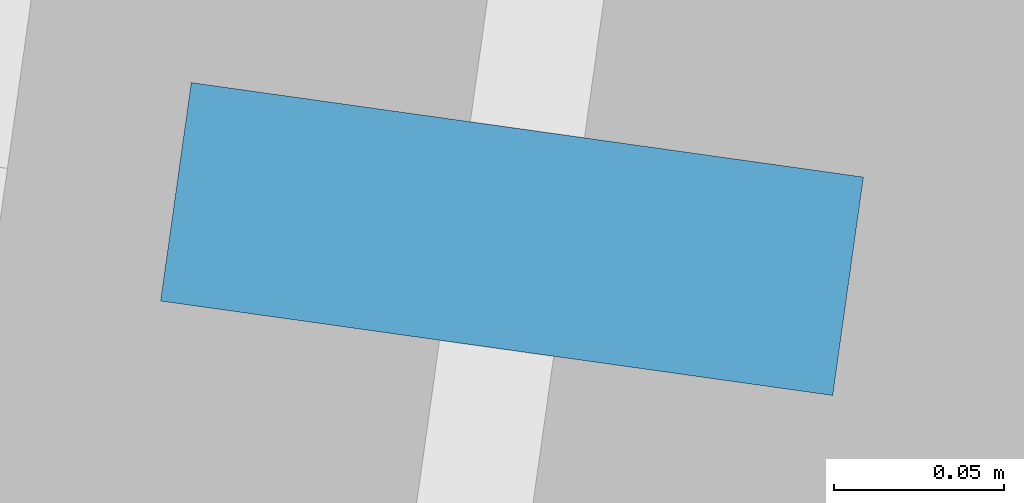
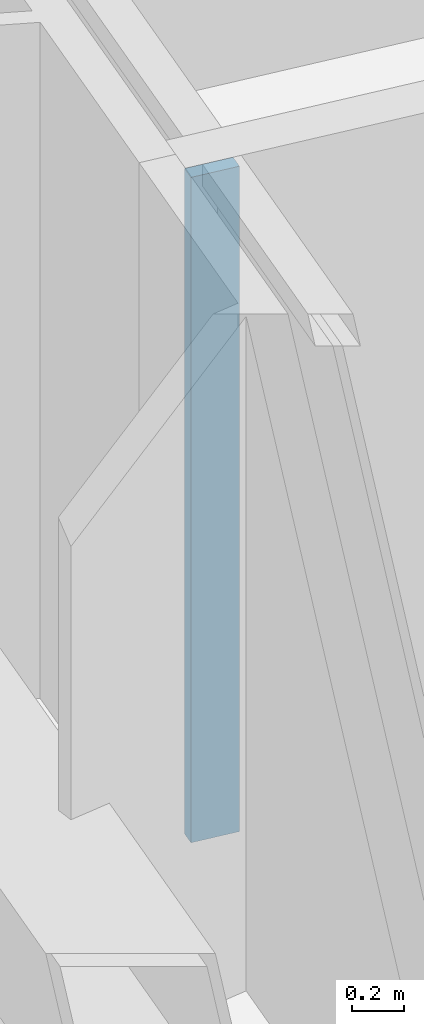
# One storey, part 4 of 29: 1 member, 1 element without a shape of its own.
"""IFC4 building model written with IfcOpenShell, lengths in metres."""

from ifc_helpers import new_model, si_unit, direction, frame, origin, origin_2d, place, context, subcontext, project, spatial, rectangle, extrude, material, material_profile, profile_set, type_object, element, aggregate, save


model = new_model("IFC4")

# Units and contexts
model_context = context("Model", 3, precision=1e-05, world=origin(), true_north=direction((0.0, 1.0)))
body_context = subcontext(model_context, "Body", "Model", "MODEL_VIEW")
ifc_project = project(units=[si_unit("LENGTHUNIT", "METRE"), si_unit("AREAUNIT", "SQUARE_METRE"), si_unit("VOLUMEUNIT", "CUBIC_METRE"), si_unit("PLANEANGLEUNIT", "RADIAN"), si_unit("MASSUNIT", "GRAM", prefix="KILO")], contexts=[model_context])

# Site, building, storey
site_placement = place(None, origin())
site = spatial("IfcSite", under=ifc_project, at=site_placement, CompositionType="ELEMENT")
building_placement = place(site_placement, origin())
building = spatial("IfcBuilding", under=site, at=building_placement, Name="Mirante Cascada Hotel Towers", CompositionType="ELEMENT")
storey_placement = place(building_placement, frame((0.0, 0.0, 206.8)))
storey = spatial("IfcBuildingStorey", under=building, at=storey_placement, Name="L49", CompositionType="ELEMENT", Elevation=206.8)

# Curtain wall, member
ifc_material_1 = material(Name="Aluminium mullion and transom frame with clear laminated glass", Category="aluminium")
curtain_wall_type = type_object("IfcCurtainWallType", Name="End ribbon curtain wall ECW2", PredefinedType="NOTDEFINED", material=ifc_material_1)
curtain_wall_placement = place(storey_placement, origin())
curtain_wall = element("IfcCurtainWall", 1, at=curtain_wall_placement, inside=storey, type_object=curtain_wall_type, Name="Outer end wall T1 L49", PredefinedType="NOTDEFINED")
ifc_material_2 = material(Name="Anodised aluminium extrusion", Category="aluminium")
ifc_material_profile = material_profile(ifc_material_2, rectangle(XDim=0.2, YDim=0.065, at=origin_2d()), Name="ECW2 MULLION 65x200")
ifc_profile_set = profile_set([ifc_material_profile], Name="Anodised aluminium extrusion")
member_type = type_object("IfcMemberType", Name="ECW2 mullion 65x200", PredefinedType="MULLION", material=ifc_profile_set)
member_placement = place(storey_placement, frame((-83.3259, 5.4945, 0.1), z_axis=(0.0, 0.0, 1.0), x_axis=(-0.9902681, 0.1391731, 0.0)))
member = element("IfcMember", 2, at=member_placement, type_object=member_type, Name="ECW2 mullion 4", PredefinedType="MULLION", context=body_context, shape_type="SweptSolid", body=[
    extrude(rectangle(XDim=0.2, YDim=0.065, at=origin_2d()), origin(), (0.0, 0.0, 1.0), 3.1),
])
aggregate(curtain_wall, [member])

save(model, "model.ifc")
